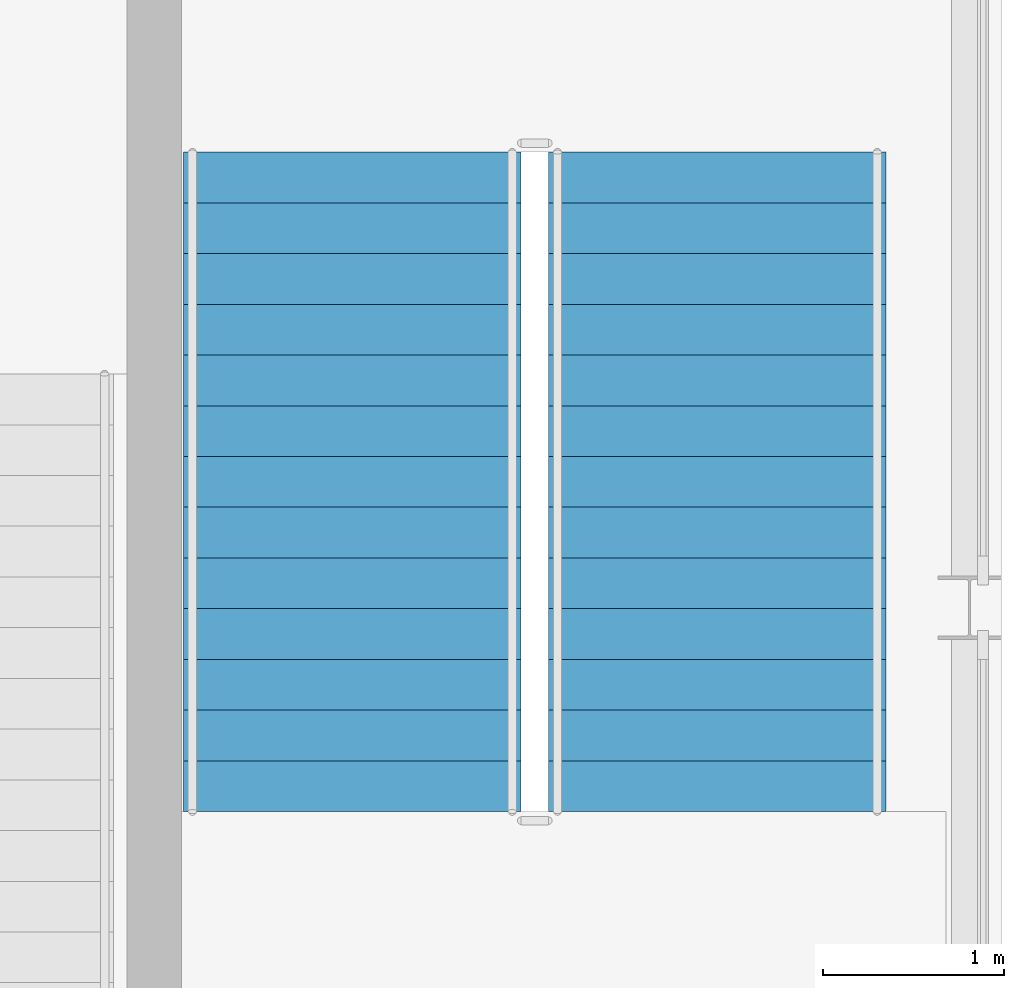
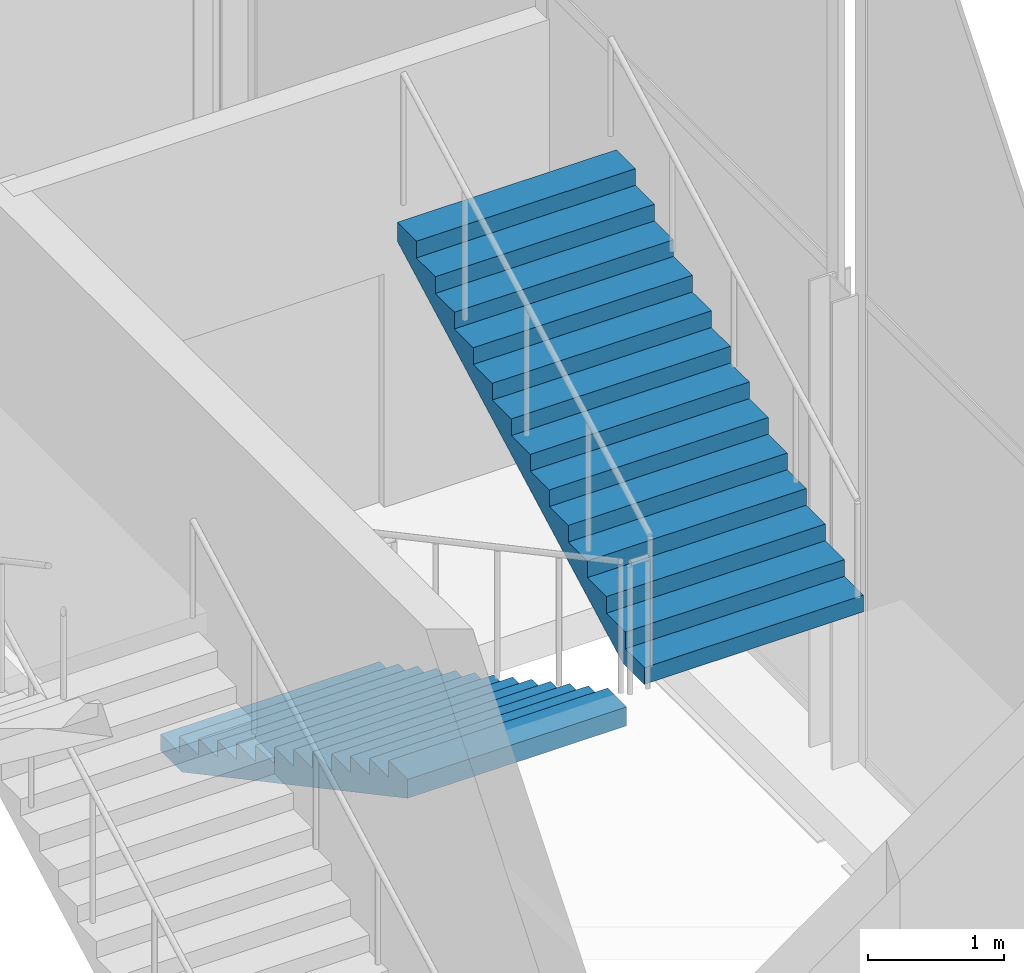
# One storey, part 7 of 8: 2 stair flights, 1 element without a shape of its own.
"""IFC4 building model written with IfcOpenShell, lengths in metres."""

import ifcopenshell
import ifcopenshell.guid

model = None  # the IFC model being written
_history = None  # IfcOwnerHistory: only IFC2X3 demands one
_inside = {}  # id of a spatial element -> (the spatial element, [elements in it])
_under = {}  # id of a project, library or spatial element -> (it, [spatial elements below it])
_declared = {}  # id of a project -> (the project, [libraries it declares])
_typed = {}  # id of a type object -> (the type object, [elements of that type])
_made_of = {}  # id of a material, layer set ... -> (it, [elements and type objects made of it])


def new_model(schema):
    """Start an empty IFC model of exactly this schema.

    Asked for "IFC4X3", IfcOpenShell would pick the latest addendum, in which some entities
    have other attributes; the version numbers below select the first issue.
    IFC2X3 requires an IfcOwnerHistory on every rooted entity: one is made here for all.
    """
    global model, _history
    if schema == "IFC4X3":
        model = ifcopenshell.file(schema_version=(4, 3, 0, 0))
    else:
        model = ifcopenshell.file(schema=schema)
    _inside.clear()
    _under.clear()
    _declared.clear()
    _typed.clear()
    _made_of.clear()
    _history = None
    if model.schema == "IFC2X3":
        org = make("IfcOrganization", Name="unknown")
        user = make(
            "IfcPersonAndOrganization",
            ThePerson=make("IfcPerson", FamilyName="unknown"),
            TheOrganization=org,
        )
        app = make(
            "IfcApplication",
            ApplicationDeveloper=org,
            Version="unknown",
            ApplicationFullName="unknown",
            ApplicationIdentifier="unknown",
        )
        _history = make(
            "IfcOwnerHistory",
            OwningUser=user,
            OwningApplication=app,
            ChangeAction="ADDED",
            CreationDate=0,
        )
    return model


def make(cls, **values):
    """One entity of the class cls with the attributes given. An attribute that is None is left unset."""
    return model.create_entity(
        cls, **{name: value for name, value in values.items() if value is not None}
    )


def rooted(cls, **values):
    """An entity with a GlobalId (a new one), such as an element, a storey or a relation."""
    return make(cls, GlobalId=ifcopenshell.guid.new(), OwnerHistory=_history, **values)


def si_unit(unit_type, name, prefix=None):
    """IfcSIUnit, for example si_unit("LENGTHUNIT", "METRE", prefix="MILLI")."""
    return make("IfcSIUnit", UnitType=unit_type, Prefix=prefix, Name=name)


def assignment(units):
    """IfcUnitAssignment: the units of a project."""
    return None if units is None else make("IfcUnitAssignment", Units=units)


def point(xyz):
    """IfcCartesianPoint."""
    return None if xyz is None else make("IfcCartesianPoint", Coordinates=xyz)


def direction(xyz):
    """IfcDirection."""
    return None if xyz is None else make("IfcDirection", DirectionRatios=xyz)


def frame(location, z_axis=None, x_axis=None):
    """IfcAxis2Placement3D, a coordinate frame: its origin and axes. An axis left out is left unset."""
    return make(
        "IfcAxis2Placement3D",
        Location=point(location),
        Axis=direction(z_axis),
        RefDirection=direction(x_axis),
    )


def origin():
    """The frame at (0, 0, 0) with its axes left unset."""
    return frame((0.0, 0.0, 0.0))


def place(relative_to, where):
    """IfcLocalPlacement: puts the frame where relative to a parent placement (None: the world)."""
    return make(
        "IfcLocalPlacement", PlacementRelTo=relative_to, RelativePlacement=where
    )


def context(
    kind, dimensions, precision=None, world=None, true_north=None, identifier=None
):
    """IfcGeometricRepresentationContext, for example the 3D "Model" context."""
    return make(
        "IfcGeometricRepresentationContext",
        ContextIdentifier=identifier,
        ContextType=kind,
        CoordinateSpaceDimension=dimensions,
        Precision=precision,
        WorldCoordinateSystem=world,
        TrueNorth=true_north,
    )


def subcontext(parent, identifier, kind, view, scale=None):
    """IfcGeometricRepresentationSubContext, for example "Body" below "Model"."""
    return make(
        "IfcGeometricRepresentationSubContext",
        ContextIdentifier=identifier,
        ContextType=kind,
        ParentContext=parent,
        TargetScale=scale,
        TargetView=view,
    )


def project(units=None, contexts=None):
    """IfcProject with its units and contexts."""
    return rooted(
        "IfcProject",
        Name="project",
        RepresentationContexts=contexts,
        UnitsInContext=assignment(units),
    )


def spatial(cls, under=None, at=None, **own):
    """A site, building, storey or space (cls), placed at a placement, below another one or the project."""
    s = rooted(cls, ObjectPlacement=at, **own)
    if under is not None:
        _under.setdefault(under.id(), (under, []))[1].append(s)
    return s


def point_list(points):
    """IfcCartesianPointList2D or 3D."""
    cls = (
        "IfcCartesianPointList2D" if len(points[0]) == 2 else "IfcCartesianPointList3D"
    )
    return make(cls, CoordList=points)


def polygons(points, faces, closed=None, point_numbers=None):
    """IfcPolygonalFaceSet: a face is its outer loop, then its inner loops; points numbered from 1."""
    made = []
    for loops in faces:
        if len(loops) == 1:
            made.append(make("IfcIndexedPolygonalFace", CoordIndex=loops[0]))
        else:
            made.append(
                make(
                    "IfcIndexedPolygonalFaceWithVoids",
                    CoordIndex=loops[0],
                    InnerCoordIndices=loops[1:],
                )
            )
    return make(
        "IfcPolygonalFaceSet",
        Coordinates=point_list(points),
        Closed=closed,
        Faces=made,
        PnIndex=point_numbers,
    )


def shape(context_of_items, identifier, shape_type, items):
    """IfcShapeRepresentation: the items that make up one representation, for example the "Body"."""
    return make(
        "IfcShapeRepresentation",
        ContextOfItems=context_of_items,
        RepresentationIdentifier=identifier,
        RepresentationType=shape_type,
        Items=items,
    )


def material(Name=None, Category=None):
    """IfcMaterial."""
    return make("IfcMaterial", Name=Name, Category=Category)


def made_of(thing, what):
    """Note that an element or type object is made of a material, layer set ...; save() writes the relation."""
    if what is not None:
        _made_of.setdefault(what.id(), (what, []))[1].append(thing)
    return thing


def type_object(cls, material=None, **own):
    """A type object (cls), such as IfcWallType, which elements share."""
    return made_of(rooted(cls, **own), material)


def element(
    cls,
    number,
    at=None,
    inside=None,
    cuts=None,
    type_object=None,
    material=None,
    context=None,
    identifier="Body",
    shape_type=None,
    held_by="IfcProductDefinitionShape",
    body=None,
    shapes=None,
    **own,
):
    """One element of the class cls, such as IfcWall. Its Tag is "e" and its number.

    at: its placement. inside: the storey or other place that contains it. cuts: it is an
    opening in that element (IfcRelVoidsElement). A single representation is given by context,
    identifier, shape_type and body (its items); several are given by shapes. held_by: the class
    of the entity that holds the representations. save() writes the other relations.
    """
    e = rooted(cls, Tag="e%d" % number, ObjectPlacement=at, **own)
    if body is not None:
        shapes = [shape(context, identifier, shape_type, body)]
    if shapes is not None:
        e.Representation = make(held_by, Representations=shapes)
    if inside is not None:
        _inside.setdefault(inside.id(), (inside, []))[1].append(e)
    if cuts is not None:
        rooted(
            "IfcRelVoidsElement", RelatingBuildingElement=cuts, RelatedOpeningElement=e
        )
    if type_object is not None:
        _typed.setdefault(type_object.id(), (type_object, []))[1].append(e)
    return made_of(e, material)


def aggregate(whole, parts):
    """IfcRelAggregates: a whole, such as a stair, and the parts it consists of."""
    return rooted("IfcRelAggregates", RelatingObject=whole, RelatedObjects=parts)


def save(model, path):
    """Write the relations noted so far, then the file.

    IfcRelAggregates (storeys below a building ...), IfcRelContainedInSpatialStructure (elements
    in a storey), IfcRelDefinesByType, IfcRelAssociatesMaterial and IfcRelDeclares: one each for
    every whole, place, type object, material and project.
    """
    for whole, parts in _under.values():
        aggregate(whole, parts)
    for where, things in _inside.values():
        rooted(
            "IfcRelContainedInSpatialStructure",
            RelatedElements=things,
            RelatingStructure=where,
        )
    for kind, things in _typed.values():
        rooted("IfcRelDefinesByType", RelatedObjects=things, RelatingType=kind)
    for what, things in _made_of.values():
        rooted("IfcRelAssociatesMaterial", RelatedObjects=things, RelatingMaterial=what)
    for by, libraries in _declared.values():
        rooted("IfcRelDeclares", RelatingContext=by, RelatedDefinitions=libraries)
    model.write(path)


model = new_model("IFC4")

# Units and contexts
model_context = context("Model", 3, precision=1e-05, world=origin(), true_north=direction((0.0, 1.0)))
body_context = subcontext(model_context, "Body", "Model", "MODEL_VIEW")
ifc_project = project(units=[si_unit("LENGTHUNIT", "METRE"), si_unit("AREAUNIT", "SQUARE_METRE"), si_unit("VOLUMEUNIT", "CUBIC_METRE"), si_unit("PLANEANGLEUNIT", "RADIAN"), si_unit("MASSUNIT", "GRAM", prefix="KILO")], contexts=[model_context])

# Site, building, storey
site_placement = place(None, origin())
site = spatial("IfcSite", under=ifc_project, at=site_placement, CompositionType="ELEMENT")
building_placement = place(site_placement, origin())
building = spatial("IfcBuilding", under=site, at=building_placement, Name="Caravel Reach Hotel and Residences", CompositionType="ELEMENT")
storey_placement = place(building_placement, frame((0.0, 0.0, 325.39990234375)))
storey = spatial("IfcBuildingStorey", under=building, at=storey_placement, Name="L82", CompositionType="ELEMENT", Elevation=325.39990234375)

# Stair, stair flights
ifc_material_1 = material(Name="Concrete C40", Category="concrete")
stair_type = type_object("IfcStairType", Name="Core stair", PredefinedType="HALF_TURN_STAIR", material=ifc_material_1)
stair_placement = place(storey_placement, origin())
stair = element("IfcStair", 1, at=stair_placement, inside=storey, type_object=stair_type, Name="L82 Exit stair C", PredefinedType="HALF_TURN_STAIR")
ifc_material_2 = material(Name="Concrete C40", Category="concrete")
stair_flight_type = type_object("IfcStairFlightType", Name="Core stair flight", PredefinedType="STRAIGHT", material=ifc_material_2)
stair_flight_1_placement = place(storey_placement, frame((46.092529296875, 29.514892578125, 0.0), z_axis=(0.0, 0.0, 1.0), x_axis=(0.0, -1.0, 0.0)))
stair_flight_1 = element("IfcStairFlight", 2, at=stair_flight_1_placement, type_object=stair_flight_type, Name="ST-C flight 1", NumberOfRisers=14, NumberOfTreads=13, PredefinedType="STRAIGHT", RiserHeight=0.15, TreadLength=0.28, context=body_context, shape_type="Tessellation", body=[
    polygons([(0.3174408016601862, 0.9324951171875, 0.0), (0.3174408016601862, 0.6216634114583333, 0.0), (0.3174408016601862, 0.31083170572916663, 0.0), (0.3174408016601862, 0.0, 0.0), (0.3174408016601862, -0.31083170572916674, 0.0), (0.3174408016601862, -0.6216634114583333, 0.0), (0.3174408016601862, -0.9324951171875, 0.0), (3.6410000000000005, 0.9324951171875, 1.7799424276820432), (3.6410000000000005, 0.6216634114583333, 1.7799424276820432), (3.6410000000000005, 0.31083170572916663, 1.7799424276820432), (3.6410000000000005, 0.0, 1.7799424276820432), (3.6410000000000005, -0.31083170572916674, 1.7799424276820432), (3.6410000000000005, -0.6216634114583333, 1.7799424276820432), (3.6410000000000005, -0.9324951171875, 1.7799424276820432), (3.6410000000000005, 0.9324951171875, 1.95), (3.6410000000000005, 0.6216634114583333, 1.95), (3.6410000000000005, 0.31083170572916663, 1.95), (3.6410000000000005, 0.0, 1.95), (3.6410000000000005, -0.31083170572916674, 1.95), (3.6410000000000005, -0.6216634114583333, 1.95), (3.6410000000000005, -0.9324951171875, 1.95), (3.3600000000000003, 0.9324951171875, 1.95), (3.3600000000000003, 0.6216634114583333, 1.95), (3.3600000000000003, 0.31083170572916663, 1.95), (3.3600000000000003, 0.0, 1.95), (3.3600000000000003, -0.31083170572916674, 1.95), (3.3600000000000003, -0.6216634114583333, 1.95), (3.3600000000000003, -0.9324951171875, 1.95), (3.3600000000000003, 0.9324951171875, 1.7999999999999998), (3.3600000000000003, 0.6216634114583333, 1.7999999999999998), (3.3600000000000003, 0.31083170572916663, 1.7999999999999998), (3.3600000000000003, 0.0, 1.7999999999999998), (3.3600000000000003, -0.31083170572916674, 1.7999999999999998), (3.3600000000000003, -0.6216634114583333, 1.7999999999999998), (3.3600000000000003, -0.9324951171875, 1.7999999999999998), (3.08, 0.9324951171875, 1.7999999999999998), (3.08, 0.6216634114583333, 1.7999999999999998), (3.08, 0.31083170572916663, 1.7999999999999998), (3.08, 0.0, 1.7999999999999998), (3.08, -0.31083170572916674, 1.7999999999999998), (3.08, -0.6216634114583333, 1.7999999999999998), (3.08, -0.9324951171875, 1.7999999999999998), (3.08, 0.9324951171875, 1.65), (3.08, 0.6216634114583333, 1.65), (3.08, 0.31083170572916663, 1.65), (3.08, 0.0, 1.65), (3.08, -0.31083170572916674, 1.65), (3.08, -0.6216634114583333, 1.65), (3.08, -0.9324951171875, 1.65), (2.8000000000000003, 0.9324951171875, 1.65), (2.8000000000000003, 0.6216634114583333, 1.65), (2.8000000000000003, 0.31083170572916663, 1.65), (2.8000000000000003, 0.0, 1.65), (2.8000000000000003, -0.31083170572916674, 1.65), (2.8000000000000003, -0.6216634114583333, 1.65), (2.8000000000000003, -0.9324951171875, 1.65), (2.8000000000000003, 0.9324951171875, 1.5), (2.8000000000000003, 0.6216634114583333, 1.5), (2.8000000000000003, 0.31083170572916663, 1.5), (2.8000000000000003, 0.0, 1.5), (2.8000000000000003, -0.31083170572916674, 1.5), (2.8000000000000003, -0.6216634114583333, 1.5), (2.8000000000000003, -0.9324951171875, 1.5), (2.5200000000000005, 0.9324951171875, 1.5), (2.5200000000000005, 0.6216634114583333, 1.5), (2.5200000000000005, 0.31083170572916663, 1.5), (2.5200000000000005, 0.0, 1.5), (2.5200000000000005, -0.31083170572916674, 1.5), (2.5200000000000005, -0.6216634114583333, 1.5), (2.5200000000000005, -0.9324951171875, 1.5), (2.5200000000000005, 0.9324951171875, 1.3499999999999999), (2.5200000000000005, 0.6216634114583333, 1.3499999999999999), (2.5200000000000005, 0.31083170572916663, 1.3499999999999999), (2.5200000000000005, 0.0, 1.3499999999999999), (2.5200000000000005, -0.31083170572916674, 1.3499999999999999), (2.5200000000000005, -0.6216634114583333, 1.3499999999999999), (2.5200000000000005, -0.9324951171875, 1.3499999999999999), (2.24, 0.9324951171875, 1.3499999999999999), (2.24, 0.6216634114583333, 1.3499999999999999), (2.24, 0.31083170572916663, 1.3499999999999999), (2.24, 0.0, 1.3499999999999999), (2.24, -0.31083170572916674, 1.3499999999999999), (2.24, -0.6216634114583333, 1.3499999999999999), (2.24, -0.9324951171875, 1.3499999999999999), (2.24, 0.9324951171875, 1.2), (2.24, 0.6216634114583333, 1.2), (2.24, 0.31083170572916663, 1.2), (2.24, 0.0, 1.2), (2.24, -0.31083170572916674, 1.2), (2.24, -0.6216634114583333, 1.2), (2.24, -0.9324951171875, 1.2), (1.9600000000000002, 0.9324951171875, 1.2), (1.9600000000000002, 0.6216634114583333, 1.2), (1.9600000000000002, 0.31083170572916663, 1.2), (1.9600000000000002, 0.0, 1.2), (1.9600000000000002, -0.31083170572916674, 1.2), (1.9600000000000002, -0.6216634114583333, 1.2), (1.9600000000000002, -0.9324951171875, 1.2), (1.9600000000000002, 0.9324951171875, 1.05), (1.9600000000000002, 0.6216634114583333, 1.05), (1.9600000000000002, 0.31083170572916663, 1.05), (1.9600000000000002, 0.0, 1.05), (1.9600000000000002, -0.31083170572916674, 1.05), (1.9600000000000002, -0.6216634114583333, 1.05), (1.9600000000000002, -0.9324951171875, 1.05), (1.6800000000000002, 0.9324951171875, 1.05), (1.6800000000000002, 0.6216634114583333, 1.05), (1.6800000000000002, 0.31083170572916663, 1.05), (1.6800000000000002, 0.0, 1.05), (1.6800000000000002, -0.31083170572916674, 1.05), (1.6800000000000002, -0.6216634114583333, 1.05), (1.6800000000000002, -0.9324951171875, 1.05), (1.6800000000000002, 0.9324951171875, 0.8999999999999999), (1.6800000000000002, 0.6216634114583333, 0.8999999999999999), (1.6800000000000002, 0.31083170572916663, 0.8999999999999999), (1.6800000000000002, 0.0, 0.8999999999999999), (1.6800000000000002, -0.31083170572916674, 0.8999999999999999), (1.6800000000000002, -0.6216634114583333, 0.8999999999999999), (1.6800000000000002, -0.9324951171875, 0.8999999999999999), (1.4000000000000001, 0.9324951171875, 0.8999999999999999), (1.4000000000000001, 0.6216634114583333, 0.8999999999999999), (1.4000000000000001, 0.31083170572916663, 0.8999999999999999), (1.4000000000000001, 0.0, 0.8999999999999999), (1.4000000000000001, -0.31083170572916674, 0.8999999999999999), (1.4000000000000001, -0.6216634114583333, 0.8999999999999999), (1.4000000000000001, -0.9324951171875, 0.8999999999999999), (1.4000000000000001, 0.9324951171875, 0.75), (1.4000000000000001, 0.6216634114583333, 0.75), (1.4000000000000001, 0.31083170572916663, 0.75), (1.4000000000000001, 0.0, 0.75), (1.4000000000000001, -0.31083170572916674, 0.75), (1.4000000000000001, -0.6216634114583333, 0.75), (1.4000000000000001, -0.9324951171875, 0.75), (1.12, 0.9324951171875, 0.75), (1.12, 0.6216634114583333, 0.75), (1.12, 0.31083170572916663, 0.75), (1.12, 0.0, 0.75), (1.12, -0.31083170572916674, 0.75), (1.12, -0.6216634114583333, 0.75), (1.12, -0.9324951171875, 0.75), (1.12, 0.9324951171875, 0.6), (1.12, 0.6216634114583333, 0.6), (1.12, 0.31083170572916663, 0.6), (1.12, 0.0, 0.6), (1.12, -0.31083170572916674, 0.6), (1.12, -0.6216634114583333, 0.6), (1.12, -0.9324951171875, 0.6), (0.8400000000000001, 0.9324951171875, 0.6), (0.8400000000000001, 0.6216634114583333, 0.6), (0.8400000000000001, 0.31083170572916663, 0.6), (0.8400000000000001, 0.0, 0.6), (0.8400000000000001, -0.31083170572916674, 0.6), (0.8400000000000001, -0.6216634114583333, 0.6), (0.8400000000000001, -0.9324951171875, 0.6), (0.8400000000000001, 0.9324951171875, 0.44999999999999996), (0.8400000000000001, 0.6216634114583333, 0.44999999999999996), (0.8400000000000001, 0.31083170572916663, 0.44999999999999996), (0.8400000000000001, 0.0, 0.44999999999999996), (0.8400000000000001, -0.31083170572916674, 0.44999999999999996), (0.8400000000000001, -0.6216634114583333, 0.44999999999999996), (0.8400000000000001, -0.9324951171875, 0.44999999999999996), (0.56, 0.9324951171875, 0.44999999999999996), (0.56, 0.6216634114583333, 0.44999999999999996), (0.56, 0.31083170572916663, 0.44999999999999996), (0.56, 0.0, 0.44999999999999996), (0.56, -0.31083170572916674, 0.44999999999999996), (0.56, -0.6216634114583333, 0.44999999999999996), (0.56, -0.9324951171875, 0.44999999999999996), (0.56, 0.9324951171875, 0.3), (0.56, 0.6216634114583333, 0.3), (0.56, 0.31083170572916663, 0.3), (0.56, 0.0, 0.3), (0.56, -0.31083170572916674, 0.3), (0.56, -0.6216634114583333, 0.3), (0.56, -0.9324951171875, 0.3), (0.28, 0.9324951171875, 0.3), (0.28, 0.6216634114583333, 0.3), (0.28, 0.31083170572916663, 0.3), (0.28, 0.0, 0.3), (0.28, -0.31083170572916674, 0.3), (0.28, -0.6216634114583333, 0.3), (0.28, -0.9324951171875, 0.3), (0.28, 0.9324951171875, 0.15), (0.28, 0.6216634114583333, 0.15), (0.28, 0.31083170572916663, 0.15), (0.28, 0.0, 0.15), (0.28, -0.31083170572916674, 0.15), (0.28, -0.6216634114583333, 0.15), (0.28, -0.9324951171875, 0.15), (-0.001, 0.9324951171875, 0.15), (-0.001, 0.6216634114583333, 0.15), (-0.001, 0.31083170572916663, 0.15), (-0.001, 0.0, 0.15), (-0.001, -0.31083170572916674, 0.15), (-0.001, -0.6216634114583333, 0.15), (-0.001, -0.9324951171875, 0.15), (-0.001, 0.9324951171875, 0.0), (-0.001, 0.6216634114583333, 0.0), (-0.001, 0.31083170572916663, 0.0), (-0.001, 0.0, 0.0), (-0.001, -0.31083170572916674, 0.0), (-0.001, -0.6216634114583333, 0.0), (-0.001, -0.9324951171875, 0.0)], [[[197, 190, 183, 176, 169, 162, 155, 148, 141, 134, 127, 120, 113, 106, 99, 92, 85, 78, 71, 64, 57, 50, 43, 36, 29, 22, 15, 8, 1]], [[7, 14, 21, 28, 35, 42, 49, 56, 63, 70, 77, 84, 91, 98, 105, 112, 119, 126, 133, 140, 147, 154, 161, 168, 175, 182, 189, 196, 203]], [[1, 8, 9, 2]], [[2, 9, 10, 3]], [[3, 10, 11, 4]], [[4, 11, 12, 5]], [[5, 12, 13, 6]], [[6, 13, 14, 7]], [[8, 15, 16, 9]], [[9, 16, 17, 10]], [[10, 17, 18, 11]], [[11, 18, 19, 12]], [[12, 19, 20, 13]], [[13, 20, 21, 14]], [[15, 22, 23, 16]], [[16, 23, 24, 17]], [[17, 24, 25, 18]], [[18, 25, 26, 19]], [[19, 26, 27, 20]], [[20, 27, 28, 21]], [[22, 29, 30, 23]], [[23, 30, 31, 24]], [[24, 31, 32, 25]], [[25, 32, 33, 26]], [[26, 33, 34, 27]], [[27, 34, 35, 28]], [[29, 36, 37, 30]], [[30, 37, 38, 31]], [[31, 38, 39, 32]], [[32, 39, 40, 33]], [[33, 40, 41, 34]], [[34, 41, 42, 35]], [[36, 43, 44, 37]], [[37, 44, 45, 38]], [[38, 45, 46, 39]], [[39, 46, 47, 40]], [[40, 47, 48, 41]], [[41, 48, 49, 42]], [[43, 50, 51, 44]], [[44, 51, 52, 45]], [[45, 52, 53, 46]], [[46, 53, 54, 47]], [[47, 54, 55, 48]], [[48, 55, 56, 49]], [[50, 57, 58, 51]], [[51, 58, 59, 52]], [[52, 59, 60, 53]], [[53, 60, 61, 54]], [[54, 61, 62, 55]], [[55, 62, 63, 56]], [[57, 64, 65, 58]], [[58, 65, 66, 59]], [[59, 66, 67, 60]], [[60, 67, 68, 61]], [[61, 68, 69, 62]], [[62, 69, 70, 63]], [[64, 71, 72, 65]], [[65, 72, 73, 66]], [[66, 73, 74, 67]], [[67, 74, 75, 68]], [[68, 75, 76, 69]], [[69, 76, 77, 70]], [[71, 78, 79, 72]], [[72, 79, 80, 73]], [[73, 80, 81, 74]], [[74, 81, 82, 75]], [[75, 82, 83, 76]], [[76, 83, 84, 77]], [[78, 85, 86, 79]], [[79, 86, 87, 80]], [[80, 87, 88, 81]], [[81, 88, 89, 82]], [[82, 89, 90, 83]], [[83, 90, 91, 84]], [[85, 92, 93, 86]], [[86, 93, 94, 87]], [[87, 94, 95, 88]], [[88, 95, 96, 89]], [[89, 96, 97, 90]], [[90, 97, 98, 91]], [[92, 99, 100, 93]], [[93, 100, 101, 94]], [[94, 101, 102, 95]], [[95, 102, 103, 96]], [[96, 103, 104, 97]], [[97, 104, 105, 98]], [[99, 106, 107, 100]], [[100, 107, 108, 101]], [[101, 108, 109, 102]], [[102, 109, 110, 103]], [[103, 110, 111, 104]], [[104, 111, 112, 105]], [[106, 113, 114, 107]], [[107, 114, 115, 108]], [[108, 115, 116, 109]], [[109, 116, 117, 110]], [[110, 117, 118, 111]], [[111, 118, 119, 112]], [[113, 120, 121, 114]], [[114, 121, 122, 115]], [[115, 122, 123, 116]], [[116, 123, 124, 117]], [[117, 124, 125, 118]], [[118, 125, 126, 119]], [[120, 127, 128, 121]], [[121, 128, 129, 122]], [[122, 129, 130, 123]], [[123, 130, 131, 124]], [[124, 131, 132, 125]], [[125, 132, 133, 126]], [[127, 134, 135, 128]], [[128, 135, 136, 129]], [[129, 136, 137, 130]], [[130, 137, 138, 131]], [[131, 138, 139, 132]], [[132, 139, 140, 133]], [[134, 141, 142, 135]], [[135, 142, 143, 136]], [[136, 143, 144, 137]], [[137, 144, 145, 138]], [[138, 145, 146, 139]], [[139, 146, 147, 140]], [[141, 148, 149, 142]], [[142, 149, 150, 143]], [[143, 150, 151, 144]], [[144, 151, 152, 145]], [[145, 152, 153, 146]], [[146, 153, 154, 147]], [[148, 155, 156, 149]], [[149, 156, 157, 150]], [[150, 157, 158, 151]], [[151, 158, 159, 152]], [[152, 159, 160, 153]], [[153, 160, 161, 154]], [[155, 162, 163, 156]], [[156, 163, 164, 157]], [[157, 164, 165, 158]], [[158, 165, 166, 159]], [[159, 166, 167, 160]], [[160, 167, 168, 161]], [[162, 169, 170, 163]], [[163, 170, 171, 164]], [[164, 171, 172, 165]], [[165, 172, 173, 166]], [[166, 173, 174, 167]], [[167, 174, 175, 168]], [[169, 176, 177, 170]], [[170, 177, 178, 171]], [[171, 178, 179, 172]], [[172, 179, 180, 173]], [[173, 180, 181, 174]], [[174, 181, 182, 175]], [[176, 183, 184, 177]], [[177, 184, 185, 178]], [[178, 185, 186, 179]], [[179, 186, 187, 180]], [[180, 187, 188, 181]], [[181, 188, 189, 182]], [[183, 190, 191, 184]], [[184, 191, 192, 185]], [[185, 192, 193, 186]], [[186, 193, 194, 187]], [[187, 194, 195, 188]], [[188, 195, 196, 189]], [[190, 197, 198, 191]], [[191, 198, 199, 192]], [[192, 199, 200, 193]], [[193, 200, 201, 194]], [[194, 201, 202, 195]], [[195, 202, 203, 196]], [[197, 1, 2, 198]], [[198, 2, 3, 199]], [[199, 3, 4, 200]], [[200, 4, 5, 201]], [[201, 5, 6, 202]], [[202, 6, 7, 203]]], closed=True),
])
stair_flight_2_placement = place(storey_placement, frame((48.107421875, 25.875, 2.10009765625), z_axis=(0.0, 0.0, 1.0), x_axis=(0.0, 1.0, 0.0)))
stair_flight_2 = element("IfcStairFlight", 3, at=stair_flight_2_placement, type_object=stair_flight_type, Name="ST-C flight 2", NumberOfRisers=14, NumberOfTreads=13, PredefinedType="STRAIGHT", RiserHeight=0.15, TreadLength=0.28, context=body_context, shape_type="Tessellation", body=[
    polygons([(0.3174408016601862, 0.9324951171875, 0.0), (0.3174408016601862, 0.6216634114583333, 0.0), (0.3174408016601862, 0.31083170572916663, 0.0), (0.3174408016601862, 0.0, 0.0), (0.3174408016601862, -0.31083170572916674, 0.0), (0.3174408016601862, -0.6216634114583333, 0.0), (0.3174408016601862, -0.9324951171875, 0.0), (3.6410000000000005, 0.9324951171875, 1.7799424276820432), (3.6410000000000005, 0.6216634114583333, 1.7799424276820432), (3.6410000000000005, 0.31083170572916663, 1.7799424276820432), (3.6410000000000005, 0.0, 1.7799424276820432), (3.6410000000000005, -0.31083170572916674, 1.7799424276820432), (3.6410000000000005, -0.6216634114583333, 1.7799424276820432), (3.6410000000000005, -0.9324951171875, 1.7799424276820432), (3.6410000000000005, 0.9324951171875, 1.95), (3.6410000000000005, 0.6216634114583333, 1.95), (3.6410000000000005, 0.31083170572916663, 1.95), (3.6410000000000005, 0.0, 1.95), (3.6410000000000005, -0.31083170572916674, 1.95), (3.6410000000000005, -0.6216634114583333, 1.95), (3.6410000000000005, -0.9324951171875, 1.95), (3.3600000000000003, 0.9324951171875, 1.95), (3.3600000000000003, 0.6216634114583333, 1.95), (3.3600000000000003, 0.31083170572916663, 1.95), (3.3600000000000003, 0.0, 1.95), (3.3600000000000003, -0.31083170572916674, 1.95), (3.3600000000000003, -0.6216634114583333, 1.95), (3.3600000000000003, -0.9324951171875, 1.95), (3.3600000000000003, 0.9324951171875, 1.7999999999999998), (3.3600000000000003, 0.6216634114583333, 1.7999999999999998), (3.3600000000000003, 0.31083170572916663, 1.7999999999999998), (3.3600000000000003, 0.0, 1.7999999999999998), (3.3600000000000003, -0.31083170572916674, 1.7999999999999998), (3.3600000000000003, -0.6216634114583333, 1.7999999999999998), (3.3600000000000003, -0.9324951171875, 1.7999999999999998), (3.08, 0.9324951171875, 1.7999999999999998), (3.08, 0.6216634114583333, 1.7999999999999998), (3.08, 0.31083170572916663, 1.7999999999999998), (3.08, 0.0, 1.7999999999999998), (3.08, -0.31083170572916674, 1.7999999999999998), (3.08, -0.6216634114583333, 1.7999999999999998), (3.08, -0.9324951171875, 1.7999999999999998), (3.08, 0.9324951171875, 1.65), (3.08, 0.6216634114583333, 1.65), (3.08, 0.31083170572916663, 1.65), (3.08, 0.0, 1.65), (3.08, -0.31083170572916674, 1.65), (3.08, -0.6216634114583333, 1.65), (3.08, -0.9324951171875, 1.65), (2.8000000000000003, 0.9324951171875, 1.65), (2.8000000000000003, 0.6216634114583333, 1.65), (2.8000000000000003, 0.31083170572916663, 1.65), (2.8000000000000003, 0.0, 1.65), (2.8000000000000003, -0.31083170572916674, 1.65), (2.8000000000000003, -0.6216634114583333, 1.65), (2.8000000000000003, -0.9324951171875, 1.65), (2.8000000000000003, 0.9324951171875, 1.5), (2.8000000000000003, 0.6216634114583333, 1.5), (2.8000000000000003, 0.31083170572916663, 1.5), (2.8000000000000003, 0.0, 1.5), (2.8000000000000003, -0.31083170572916674, 1.5), (2.8000000000000003, -0.6216634114583333, 1.5), (2.8000000000000003, -0.9324951171875, 1.5), (2.5200000000000005, 0.9324951171875, 1.5), (2.5200000000000005, 0.6216634114583333, 1.5), (2.5200000000000005, 0.31083170572916663, 1.5), (2.5200000000000005, 0.0, 1.5), (2.5200000000000005, -0.31083170572916674, 1.5), (2.5200000000000005, -0.6216634114583333, 1.5), (2.5200000000000005, -0.9324951171875, 1.5), (2.5200000000000005, 0.9324951171875, 1.3499999999999999), (2.5200000000000005, 0.6216634114583333, 1.3499999999999999), (2.5200000000000005, 0.31083170572916663, 1.3499999999999999), (2.5200000000000005, 0.0, 1.3499999999999999), (2.5200000000000005, -0.31083170572916674, 1.3499999999999999), (2.5200000000000005, -0.6216634114583333, 1.3499999999999999), (2.5200000000000005, -0.9324951171875, 1.3499999999999999), (2.24, 0.9324951171875, 1.3499999999999999), (2.24, 0.6216634114583333, 1.3499999999999999), (2.24, 0.31083170572916663, 1.3499999999999999), (2.24, 0.0, 1.3499999999999999), (2.24, -0.31083170572916674, 1.3499999999999999), (2.24, -0.6216634114583333, 1.3499999999999999), (2.24, -0.9324951171875, 1.3499999999999999), (2.24, 0.9324951171875, 1.2), (2.24, 0.6216634114583333, 1.2), (2.24, 0.31083170572916663, 1.2), (2.24, 0.0, 1.2), (2.24, -0.31083170572916674, 1.2), (2.24, -0.6216634114583333, 1.2), (2.24, -0.9324951171875, 1.2), (1.9600000000000002, 0.9324951171875, 1.2), (1.9600000000000002, 0.6216634114583333, 1.2), (1.9600000000000002, 0.31083170572916663, 1.2), (1.9600000000000002, 0.0, 1.2), (1.9600000000000002, -0.31083170572916674, 1.2), (1.9600000000000002, -0.6216634114583333, 1.2), (1.9600000000000002, -0.9324951171875, 1.2), (1.9600000000000002, 0.9324951171875, 1.05), (1.9600000000000002, 0.6216634114583333, 1.05), (1.9600000000000002, 0.31083170572916663, 1.05), (1.9600000000000002, 0.0, 1.05), (1.9600000000000002, -0.31083170572916674, 1.05), (1.9600000000000002, -0.6216634114583333, 1.05), (1.9600000000000002, -0.9324951171875, 1.05), (1.6800000000000002, 0.9324951171875, 1.05), (1.6800000000000002, 0.6216634114583333, 1.05), (1.6800000000000002, 0.31083170572916663, 1.05), (1.6800000000000002, 0.0, 1.05), (1.6800000000000002, -0.31083170572916674, 1.05), (1.6800000000000002, -0.6216634114583333, 1.05), (1.6800000000000002, -0.9324951171875, 1.05), (1.6800000000000002, 0.9324951171875, 0.8999999999999999), (1.6800000000000002, 0.6216634114583333, 0.8999999999999999), (1.6800000000000002, 0.31083170572916663, 0.8999999999999999), (1.6800000000000002, 0.0, 0.8999999999999999), (1.6800000000000002, -0.31083170572916674, 0.8999999999999999), (1.6800000000000002, -0.6216634114583333, 0.8999999999999999), (1.6800000000000002, -0.9324951171875, 0.8999999999999999), (1.4000000000000001, 0.9324951171875, 0.8999999999999999), (1.4000000000000001, 0.6216634114583333, 0.8999999999999999), (1.4000000000000001, 0.31083170572916663, 0.8999999999999999), (1.4000000000000001, 0.0, 0.8999999999999999), (1.4000000000000001, -0.31083170572916674, 0.8999999999999999), (1.4000000000000001, -0.6216634114583333, 0.8999999999999999), (1.4000000000000001, -0.9324951171875, 0.8999999999999999), (1.4000000000000001, 0.9324951171875, 0.75), (1.4000000000000001, 0.6216634114583333, 0.75), (1.4000000000000001, 0.31083170572916663, 0.75), (1.4000000000000001, 0.0, 0.75), (1.4000000000000001, -0.31083170572916674, 0.75), (1.4000000000000001, -0.6216634114583333, 0.75), (1.4000000000000001, -0.9324951171875, 0.75), (1.12, 0.9324951171875, 0.75), (1.12, 0.6216634114583333, 0.75), (1.12, 0.31083170572916663, 0.75), (1.12, 0.0, 0.75), (1.12, -0.31083170572916674, 0.75), (1.12, -0.6216634114583333, 0.75), (1.12, -0.9324951171875, 0.75), (1.12, 0.9324951171875, 0.6), (1.12, 0.6216634114583333, 0.6), (1.12, 0.31083170572916663, 0.6), (1.12, 0.0, 0.6), (1.12, -0.31083170572916674, 0.6), (1.12, -0.6216634114583333, 0.6), (1.12, -0.9324951171875, 0.6), (0.8400000000000001, 0.9324951171875, 0.6), (0.8400000000000001, 0.6216634114583333, 0.6), (0.8400000000000001, 0.31083170572916663, 0.6), (0.8400000000000001, 0.0, 0.6), (0.8400000000000001, -0.31083170572916674, 0.6), (0.8400000000000001, -0.6216634114583333, 0.6), (0.8400000000000001, -0.9324951171875, 0.6), (0.8400000000000001, 0.9324951171875, 0.44999999999999996), (0.8400000000000001, 0.6216634114583333, 0.44999999999999996), (0.8400000000000001, 0.31083170572916663, 0.44999999999999996), (0.8400000000000001, 0.0, 0.44999999999999996), (0.8400000000000001, -0.31083170572916674, 0.44999999999999996), (0.8400000000000001, -0.6216634114583333, 0.44999999999999996), (0.8400000000000001, -0.9324951171875, 0.44999999999999996), (0.56, 0.9324951171875, 0.44999999999999996), (0.56, 0.6216634114583333, 0.44999999999999996), (0.56, 0.31083170572916663, 0.44999999999999996), (0.56, 0.0, 0.44999999999999996), (0.56, -0.31083170572916674, 0.44999999999999996), (0.56, -0.6216634114583333, 0.44999999999999996), (0.56, -0.9324951171875, 0.44999999999999996), (0.56, 0.9324951171875, 0.3), (0.56, 0.6216634114583333, 0.3), (0.56, 0.31083170572916663, 0.3), (0.56, 0.0, 0.3), (0.56, -0.31083170572916674, 0.3), (0.56, -0.6216634114583333, 0.3), (0.56, -0.9324951171875, 0.3), (0.28, 0.9324951171875, 0.3), (0.28, 0.6216634114583333, 0.3), (0.28, 0.31083170572916663, 0.3), (0.28, 0.0, 0.3), (0.28, -0.31083170572916674, 0.3), (0.28, -0.6216634114583333, 0.3), (0.28, -0.9324951171875, 0.3), (0.28, 0.9324951171875, 0.15), (0.28, 0.6216634114583333, 0.15), (0.28, 0.31083170572916663, 0.15), (0.28, 0.0, 0.15), (0.28, -0.31083170572916674, 0.15), (0.28, -0.6216634114583333, 0.15), (0.28, -0.9324951171875, 0.15), (-0.001, 0.9324951171875, 0.15), (-0.001, 0.6216634114583333, 0.15), (-0.001, 0.31083170572916663, 0.15), (-0.001, 0.0, 0.15), (-0.001, -0.31083170572916674, 0.15), (-0.001, -0.6216634114583333, 0.15), (-0.001, -0.9324951171875, 0.15), (-0.001, 0.9324951171875, 0.0), (-0.001, 0.6216634114583333, 0.0), (-0.001, 0.31083170572916663, 0.0), (-0.001, 0.0, 0.0), (-0.001, -0.31083170572916674, 0.0), (-0.001, -0.6216634114583333, 0.0), (-0.001, -0.9324951171875, 0.0)], [[[197, 190, 183, 176, 169, 162, 155, 148, 141, 134, 127, 120, 113, 106, 99, 92, 85, 78, 71, 64, 57, 50, 43, 36, 29, 22, 15, 8, 1]], [[7, 14, 21, 28, 35, 42, 49, 56, 63, 70, 77, 84, 91, 98, 105, 112, 119, 126, 133, 140, 147, 154, 161, 168, 175, 182, 189, 196, 203]], [[1, 8, 9, 2]], [[2, 9, 10, 3]], [[3, 10, 11, 4]], [[4, 11, 12, 5]], [[5, 12, 13, 6]], [[6, 13, 14, 7]], [[8, 15, 16, 9]], [[9, 16, 17, 10]], [[10, 17, 18, 11]], [[11, 18, 19, 12]], [[12, 19, 20, 13]], [[13, 20, 21, 14]], [[15, 22, 23, 16]], [[16, 23, 24, 17]], [[17, 24, 25, 18]], [[18, 25, 26, 19]], [[19, 26, 27, 20]], [[20, 27, 28, 21]], [[22, 29, 30, 23]], [[23, 30, 31, 24]], [[24, 31, 32, 25]], [[25, 32, 33, 26]], [[26, 33, 34, 27]], [[27, 34, 35, 28]], [[29, 36, 37, 30]], [[30, 37, 38, 31]], [[31, 38, 39, 32]], [[32, 39, 40, 33]], [[33, 40, 41, 34]], [[34, 41, 42, 35]], [[36, 43, 44, 37]], [[37, 44, 45, 38]], [[38, 45, 46, 39]], [[39, 46, 47, 40]], [[40, 47, 48, 41]], [[41, 48, 49, 42]], [[43, 50, 51, 44]], [[44, 51, 52, 45]], [[45, 52, 53, 46]], [[46, 53, 54, 47]], [[47, 54, 55, 48]], [[48, 55, 56, 49]], [[50, 57, 58, 51]], [[51, 58, 59, 52]], [[52, 59, 60, 53]], [[53, 60, 61, 54]], [[54, 61, 62, 55]], [[55, 62, 63, 56]], [[57, 64, 65, 58]], [[58, 65, 66, 59]], [[59, 66, 67, 60]], [[60, 67, 68, 61]], [[61, 68, 69, 62]], [[62, 69, 70, 63]], [[64, 71, 72, 65]], [[65, 72, 73, 66]], [[66, 73, 74, 67]], [[67, 74, 75, 68]], [[68, 75, 76, 69]], [[69, 76, 77, 70]], [[71, 78, 79, 72]], [[72, 79, 80, 73]], [[73, 80, 81, 74]], [[74, 81, 82, 75]], [[75, 82, 83, 76]], [[76, 83, 84, 77]], [[78, 85, 86, 79]], [[79, 86, 87, 80]], [[80, 87, 88, 81]], [[81, 88, 89, 82]], [[82, 89, 90, 83]], [[83, 90, 91, 84]], [[85, 92, 93, 86]], [[86, 93, 94, 87]], [[87, 94, 95, 88]], [[88, 95, 96, 89]], [[89, 96, 97, 90]], [[90, 97, 98, 91]], [[92, 99, 100, 93]], [[93, 100, 101, 94]], [[94, 101, 102, 95]], [[95, 102, 103, 96]], [[96, 103, 104, 97]], [[97, 104, 105, 98]], [[99, 106, 107, 100]], [[100, 107, 108, 101]], [[101, 108, 109, 102]], [[102, 109, 110, 103]], [[103, 110, 111, 104]], [[104, 111, 112, 105]], [[106, 113, 114, 107]], [[107, 114, 115, 108]], [[108, 115, 116, 109]], [[109, 116, 117, 110]], [[110, 117, 118, 111]], [[111, 118, 119, 112]], [[113, 120, 121, 114]], [[114, 121, 122, 115]], [[115, 122, 123, 116]], [[116, 123, 124, 117]], [[117, 124, 125, 118]], [[118, 125, 126, 119]], [[120, 127, 128, 121]], [[121, 128, 129, 122]], [[122, 129, 130, 123]], [[123, 130, 131, 124]], [[124, 131, 132, 125]], [[125, 132, 133, 126]], [[127, 134, 135, 128]], [[128, 135, 136, 129]], [[129, 136, 137, 130]], [[130, 137, 138, 131]], [[131, 138, 139, 132]], [[132, 139, 140, 133]], [[134, 141, 142, 135]], [[135, 142, 143, 136]], [[136, 143, 144, 137]], [[137, 144, 145, 138]], [[138, 145, 146, 139]], [[139, 146, 147, 140]], [[141, 148, 149, 142]], [[142, 149, 150, 143]], [[143, 150, 151, 144]], [[144, 151, 152, 145]], [[145, 152, 153, 146]], [[146, 153, 154, 147]], [[148, 155, 156, 149]], [[149, 156, 157, 150]], [[150, 157, 158, 151]], [[151, 158, 159, 152]], [[152, 159, 160, 153]], [[153, 160, 161, 154]], [[155, 162, 163, 156]], [[156, 163, 164, 157]], [[157, 164, 165, 158]], [[158, 165, 166, 159]], [[159, 166, 167, 160]], [[160, 167, 168, 161]], [[162, 169, 170, 163]], [[163, 170, 171, 164]], [[164, 171, 172, 165]], [[165, 172, 173, 166]], [[166, 173, 174, 167]], [[167, 174, 175, 168]], [[169, 176, 177, 170]], [[170, 177, 178, 171]], [[171, 178, 179, 172]], [[172, 179, 180, 173]], [[173, 180, 181, 174]], [[174, 181, 182, 175]], [[176, 183, 184, 177]], [[177, 184, 185, 178]], [[178, 185, 186, 179]], [[179, 186, 187, 180]], [[180, 187, 188, 181]], [[181, 188, 189, 182]], [[183, 190, 191, 184]], [[184, 191, 192, 185]], [[185, 192, 193, 186]], [[186, 193, 194, 187]], [[187, 194, 195, 188]], [[188, 195, 196, 189]], [[190, 197, 198, 191]], [[191, 198, 199, 192]], [[192, 199, 200, 193]], [[193, 200, 201, 194]], [[194, 201, 202, 195]], [[195, 202, 203, 196]], [[197, 1, 2, 198]], [[198, 2, 3, 199]], [[199, 3, 4, 200]], [[200, 4, 5, 201]], [[201, 5, 6, 202]], [[202, 6, 7, 203]]], closed=True),
])
aggregate(stair, [stair_flight_1, stair_flight_2])

save(model, "model.ifc")
